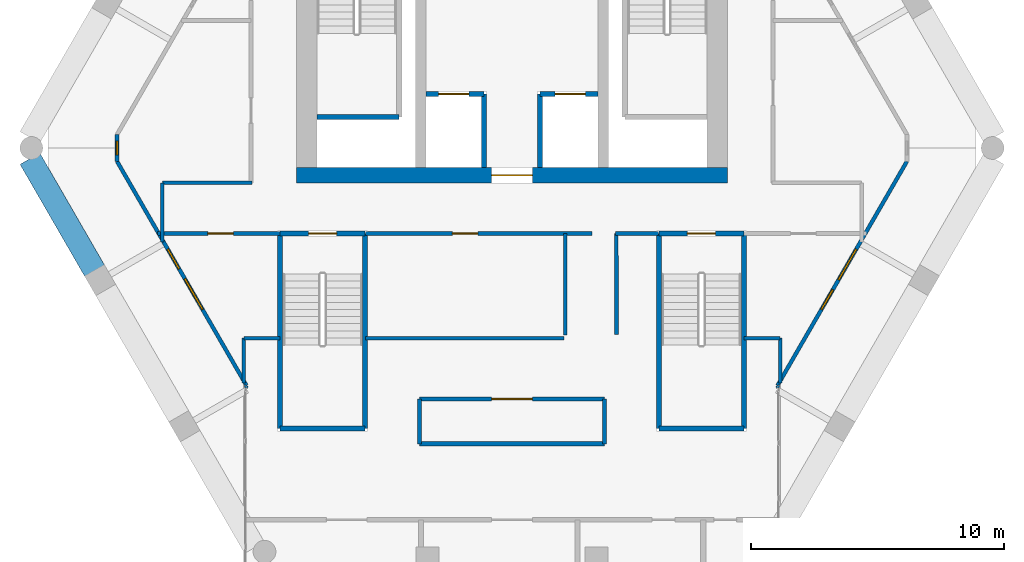
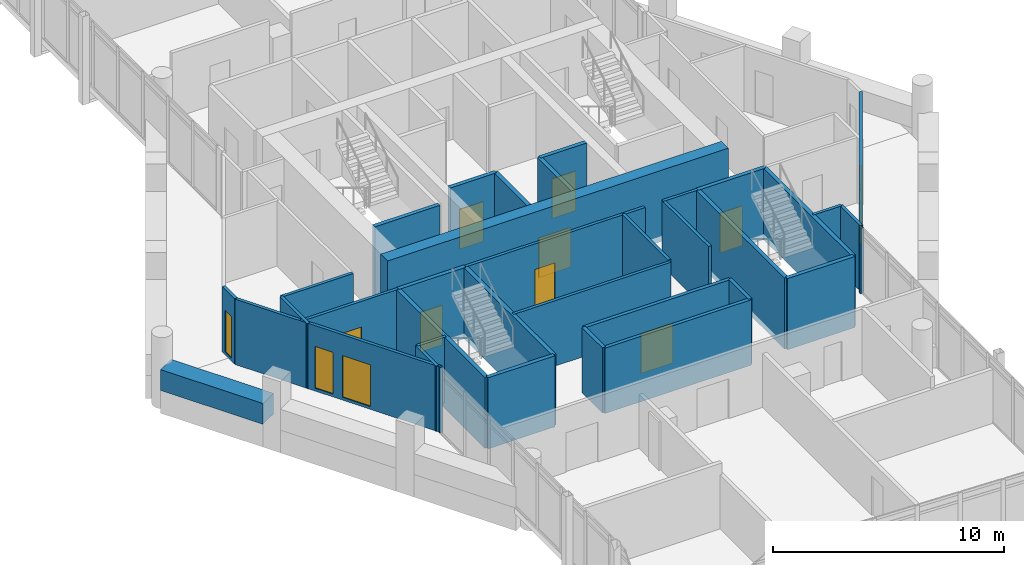
# One storey, part 21 of 25: 36 walls, 8 doors, 5 windows, 13 openings.
"""IFC4 building model written with IfcOpenShell, lengths in metres."""

from ifc_helpers import new_model, si_unit, direction, frame, frame_2d, origin, place, context, subcontext, project, spatial, rectangle, extrude, material, layer, layer_set, type_object, element, fill, save


model = new_model("IFC4")

# Units and contexts
model_context = context("Model", 3, precision=1e-05, world=origin(), true_north=direction((0.0, 1.0)))
body_context = subcontext(model_context, "Body", "Model", "MODEL_VIEW")
ifc_project = project(units=[si_unit("LENGTHUNIT", "METRE"), si_unit("AREAUNIT", "SQUARE_METRE"), si_unit("VOLUMEUNIT", "CUBIC_METRE"), si_unit("PLANEANGLEUNIT", "RADIAN"), si_unit("MASSUNIT", "GRAM", prefix="KILO")], contexts=[model_context])

# Site, building, storey
site_placement = place(None, origin())
site = spatial("IfcSite", under=ifc_project, at=site_placement, CompositionType="ELEMENT")
building_placement = place(site_placement, origin())
building = spatial("IfcBuilding", under=site, at=building_placement, Name="Ostrander Bayou Hotel Tower", CompositionType="ELEMENT")
storey_placement = place(building_placement, frame((0.0, 0.0, 233.25)))
storey = spatial("IfcBuildingStorey", under=building, at=storey_placement, Name="L58", CompositionType="ELEMENT", Elevation=233.25)

# Wall, opening, door
ifc_material_1 = material(Name="Concrete f'c 60 MPa", Category="concrete")
ifc_layer_1 = layer(ifc_material_1, 0.60009765625)
ifc_layer_set_1 = layer_set([ifc_layer_1], Name="CW10 core wall 600 mm f'c 60 MPa")
wall_type_1 = type_object("IfcWallType", Name="CW10 core wall 600 mm f'c 60 MPa", PredefinedType="SHEAR", material=ifc_layer_set_1)
wall_1_placement = place(storey_placement, frame((-8.5, -1.39990234375, -0.300048828125), z_axis=(0.0, 0.0, 1.0), x_axis=(1.0, 0.0, 0.0)))
wall_1 = element("IfcWall", 1, at=wall_1_placement, inside=storey, type_object=wall_type_1, Name="CW10 L58 S", PredefinedType="SHEAR", context=body_context, shape_type="SweptSolid", body=[
    extrude(rectangle(XDim=17.0, YDim=0.60009765625, at=frame_2d((8.5, 0.0))), origin(), (0.0, 0.0, 1.0), 3.75),
])
opening_1_placement = place(wall_1_placement, frame((7.699951171875, 0.0, 0.0)))
opening_1 = element("IfcOpeningElement", 2, at=opening_1_placement, cuts=wall_1, Name="Opening T57-005", PredefinedType="OPENING", context=body_context, shape_type="SweptSolid", body=[
    extrude(rectangle(XDim=1.60009765625, YDim=2.10009765625, at=frame_2d((0.800048828125, 1.050048828125))), frame((0.0, 0.300048828125, 0.0), z_axis=(0.0, -1.0, 0.0), x_axis=(1.0, 0.0, 0.0)), (0.0, 0.0, 1.0), 0.60009765625),
])
ifc_material_2 = material(Name="Timber door leaf", Category="wood")
door_type_1 = type_object("IfcDoorType", Name="D13 double door 1600 x 2100 mm, 1 hour", OperationType="SINGLE_SWING_LEFT", PredefinedType="DOOR", material=ifc_material_2)
door_1_placement = place(opening_1_placement, origin())
door_1 = element("IfcDoor", 3, at=door_1_placement, inside=storey, type_object=door_type_1, Name="dr:L58:005", OperationType="DOUBLE_DOOR_SINGLE_SWING", OverallHeight=2.10009765625, OverallWidth=1.60009765625, PredefinedType="DOOR", context=body_context, shape_type="SweptSolid", body=[
    extrude(rectangle(XDim=1.60009765625, YDim=2.10009765625, at=frame_2d((0.800048828125, 1.050048828125))), frame((0.0, 0.02490234375, 0.0), z_axis=(0.0, -1.0, 0.0), x_axis=(1.0, 0.0, 0.0)), (0.0, 0.0, 1.0), 0.050048828125),
])
fill(opening_1, door_1)

# Wall, openings, windows
ifc_material_3 = material(Name="Aluminium framed insulated wall", Category="aluminium")
ifc_layer_2 = layer(ifc_material_3, 0.14990234375)
ifc_layer_set_2 = layer_set([ifc_layer_2], Name="GW1 glass-line wall 150 mm")
wall_type_2 = type_object("IfcWallType", Name="GW1 glass-line wall 150 mm", PredefinedType="SOLIDWALL", material=ifc_layer_set_2)
wall_2_placement = place(storey_placement, frame((-15.582763671875, -0.85986328125, 0.0), z_axis=(0.0, 0.0, 1.0), x_axis=(0.499995050918, -0.866028261119, 0.0)))
wall_2 = element("IfcWall", 4, at=wall_2_placement, inside=storey, type_object=wall_type_2, Name="GW1 L58 SW 1", PredefinedType="SOLIDWALL", context=body_context, shape_type="SweptSolid", body=[
    extrude(rectangle(XDim=10.20751953125, YDim=0.14990234375, at=frame_2d((5.103759765625, 0.0))), origin(), (0.0, 0.0, 1.0), 3.449951171875),
])
opening_2_placement = place(wall_2_placement, frame((3.993896484375, 0.0, 0.14990234375)))
opening_2 = element("IfcOpeningElement", 5, at=opening_2_placement, cuts=wall_2, Name="Opening W18", PredefinedType="OPENING", context=body_context, shape_type="SweptSolid", body=[
    extrude(rectangle(XDim=0.89990234375, YDim=2.199951171875, at=frame_2d((0.449951171875, 1.10009765625))), frame((0.0, 0.074951171875, 0.0), z_axis=(0.0, -1.0, 0.0), x_axis=(1.0, 0.0, 0.0)), (0.0, 0.0, 1.0), 0.14990234375),
])
opening_3_placement = place(wall_2_placement, frame((5.3466796875, 0.0, 0.14990234375)))
opening_3 = element("IfcOpeningElement", 6, at=opening_3_placement, cuts=wall_2, Name="Opening W14", PredefinedType="OPENING", context=body_context, shape_type="SweptSolid", body=[
    extrude(rectangle(XDim=1.39990234375, YDim=2.199951171875, at=frame_2d((0.699951171875, 1.10009765625))), frame((0.0, 0.074951171875, 0.0), z_axis=(0.0, -1.0, 0.0), x_axis=(1.0, 0.0, 0.0)), (0.0, 0.0, 1.0), 0.14990234375),
])
ifc_material_4 = material(Name="Aluminium and clear glass", Category="aluminium")
window_type_1 = type_object("IfcWindowType", Name="W14 fixed window 1400 mm, bath bay, zone 4", PartitioningType="SINGLE_PANEL", PredefinedType="WINDOW", material=ifc_material_4)
window_1_placement = place(opening_3_placement, origin())
window_1 = element("IfcWindow", 7, at=window_1_placement, inside=storey, type_object=window_type_1, Name="W14 L58 SW 1", OverallHeight=2.199951171875, OverallWidth=1.39990234375, PartitioningType="SINGLE_PANEL", PredefinedType="WINDOW", context=body_context, shape_type="SweptSolid", body=[
    extrude(rectangle(XDim=1.39990234375, YDim=2.199951171875, at=frame_2d((0.699951171875, 1.10009765625))), frame((0.0, 0.030029296875, 0.0), z_axis=(0.0, -1.0, 0.0), x_axis=(1.0, 0.0, 0.0)), (0.0, 0.0, 1.0), 0.06005859375),
])
fill(opening_3, window_1)
ifc_material_5 = material(Name="Aluminium and clear glass", Category="aluminium")
window_type_2 = type_object("IfcWindowType", Name="W18 window 900 mm, zone 4", PartitioningType="SINGLE_PANEL", PredefinedType="WINDOW", material=ifc_material_5)
window_2_placement = place(opening_2_placement, origin())
window_2 = element("IfcWindow", 8, at=window_2_placement, inside=storey, type_object=window_type_2, Name="W18 L58 SW 1", OverallHeight=2.199951171875, OverallWidth=0.89990234375, PartitioningType="SINGLE_PANEL", PredefinedType="WINDOW", context=body_context, shape_type="SweptSolid", body=[
    extrude(rectangle(XDim=0.89990234375, YDim=2.199951171875, at=frame_2d((0.449951171875, 1.10009765625))), frame((0.0, 0.030029296875, 0.0), z_axis=(0.0, -1.0, 0.0), x_axis=(1.0, 0.0, 0.0)), (0.0, 0.0, 1.0), 0.06005859375),
])
fill(opening_2, window_2)

wall_3_placement = place(storey_placement, frame((10.47900390625, -9.699951171875, 0.0), z_axis=(0.0, 0.0, 1.0), x_axis=(0.499995050918, 0.866028261119, 0.0)))
wall_3 = element("IfcWall", 9, at=wall_3_placement, inside=storey, type_object=wall_type_2, Name="GW1 L58 SE 1", PredefinedType="SOLIDWALL", context=body_context, shape_type="SweptSolid", body=[
    extrude(rectangle(XDim=10.20751953125, YDim=0.14990234375, at=frame_2d((5.103759765625, 0.0))), origin(), (0.0, 0.0, 1.0), 3.449951171875),
])
opening_4_placement = place(wall_3_placement, frame((3.4609375, 0.0, 0.14990234375)))
opening_4 = element("IfcOpeningElement", 10, at=opening_4_placement, cuts=wall_3, Name="Opening W18", PredefinedType="OPENING", context=body_context, shape_type="SweptSolid", body=[
    extrude(rectangle(XDim=0.89990234375, YDim=2.199951171875, at=frame_2d((0.449951171875, 1.10009765625))), frame((0.0, 0.074951171875, 0.0), z_axis=(0.0, -1.0, 0.0), x_axis=(1.0, 0.0, 0.0)), (0.0, 0.0, 1.0), 0.14990234375),
])
opening_5_placement = place(wall_3_placement, frame((4.81396484375, 0.0, 0.14990234375)))
opening_5 = element("IfcOpeningElement", 11, at=opening_5_placement, cuts=wall_3, Name="Opening W14", PredefinedType="OPENING", context=body_context, shape_type="SweptSolid", body=[
    extrude(rectangle(XDim=1.39990234375, YDim=2.199951171875, at=frame_2d((0.699951171875, 1.10009765625))), frame((0.0, 0.074951171875, 0.0), z_axis=(0.0, -1.0, 0.0), x_axis=(1.0, 0.0, 0.0)), (0.0, 0.0, 1.0), 0.14990234375),
])
window_3_placement = place(opening_5_placement, origin())
window_3 = element("IfcWindow", 12, at=window_3_placement, inside=storey, type_object=window_type_1, Name="W14 L58 SE 2", OverallHeight=2.199951171875, OverallWidth=1.39990234375, PartitioningType="SINGLE_PANEL", PredefinedType="WINDOW", context=body_context, shape_type="SweptSolid", body=[
    extrude(rectangle(XDim=1.39990234375, YDim=2.199951171875, at=frame_2d((0.699951171875, 1.10009765625))), frame((0.0, 0.030029296875, 0.0), z_axis=(0.0, -1.0, 0.0), x_axis=(1.0, 0.0, 0.0)), (0.0, 0.0, 1.0), 0.06005859375),
])
fill(opening_5, window_3)
window_4_placement = place(opening_4_placement, origin())
window_4 = element("IfcWindow", 13, at=window_4_placement, inside=storey, type_object=window_type_2, Name="W18 L58 SE 2", OverallHeight=2.199951171875, OverallWidth=0.89990234375, PartitioningType="SINGLE_PANEL", PredefinedType="WINDOW", context=body_context, shape_type="SweptSolid", body=[
    extrude(rectangle(XDim=0.89990234375, YDim=2.199951171875, at=frame_2d((0.449951171875, 1.10009765625))), frame((0.0, 0.030029296875, 0.0), z_axis=(0.0, -1.0, 0.0), x_axis=(1.0, 0.0, 0.0)), (0.0, 0.0, 1.0), 0.06005859375),
])
fill(opening_4, window_4)

# Wall, opening, window
wall_4_placement = place(storey_placement, frame((-15.582763671875, 0.205078125, 0.0), z_axis=(0.0, 0.0, 1.0), x_axis=(0.0, -1.0, 0.0)))
wall_4 = element("IfcWall", 14, at=wall_4_placement, inside=storey, type_object=wall_type_2, Name="GW1 L58 corner 2", PredefinedType="SOLIDWALL", context=body_context, shape_type="SweptSolid", body=[
    extrude(rectangle(XDim=1.06494140625, YDim=0.14990234375, at=frame_2d((0.532470703125, 0.0))), origin(), (0.0, 0.0, 1.0), 3.449951171875),
])
opening_6_placement = place(wall_4_placement, frame((0.257568359375, 0.0, 0.14990234375)))
opening_6 = element("IfcOpeningElement", 15, at=opening_6_placement, cuts=wall_4, Name="Opening W19", PredefinedType="OPENING", context=body_context, shape_type="SweptSolid", body=[
    extrude(rectangle(XDim=0.550048828125, YDim=2.199951171875, at=frame_2d((0.27490234375, 1.10009765625))), frame((0.0, 0.074951171875, 0.0), z_axis=(0.0, -1.0, 0.0), x_axis=(1.0, 0.0, 0.0)), (0.0, 0.0, 1.0), 0.14990234375),
])
ifc_material_6 = material(Name="Aluminium and clear glass", Category="aluminium")
window_type_3 = type_object("IfcWindowType", Name="W19 corner window 550 mm", PartitioningType="SINGLE_PANEL", PredefinedType="WINDOW", material=ifc_material_6)
window_5_placement = place(opening_6_placement, origin())
window_5 = element("IfcWindow", 16, at=window_5_placement, inside=storey, type_object=window_type_3, Name="W19 L58 corner 2", OverallHeight=2.199951171875, OverallWidth=0.550048828125, PartitioningType="SINGLE_PANEL", PredefinedType="WINDOW", context=body_context, shape_type="SweptSolid", body=[
    extrude(rectangle(XDim=0.550048828125, YDim=2.199951171875, at=frame_2d((0.27490234375, 1.10009765625))), frame((0.0, 0.030029296875, 0.0), z_axis=(0.0, -1.0, 0.0), x_axis=(1.0, 0.0, 0.0)), (0.0, 0.0, 1.0), 0.06005859375),
])
fill(opening_6, window_5)

# Walls
for number, where, z_axis, x_axis, name in (
    (17, (-10.47900390625, -9.699951171875, 0.0), (0.0, 0.0, 1.0), (-0.338543167143, -0.940950861619, 0.0), "GW1 L58 bar joint 2"),
    (18, (10.47900390625, -9.699951171875, 0.0), (0.0, 0.0, 1.0), (0.338543167143, -0.940950861619, 0.0), "GW1 L58 bar joint 3"),
):
    element("IfcWall", number, at=place(storey_placement, frame(where, z_axis=z_axis, x_axis=x_axis)), inside=storey, type_object=wall_type_2, Name=name, PredefinedType="SOLIDWALL", context=body_context, shape_type="SweptSolid", body=[
        extrude(rectangle(XDim=0.09814453125, YDim=0.14990234375, at=frame_2d((0.049072265625, 0.0))), origin(), (0.0, 0.0, 1.0), 3.449951171875),
    ])
ifc_material_7 = material(Name="Limestone masonry", Category="masonry")
ifc_layer_3 = layer(ifc_material_7, 0.89990234375)
ifc_layer_set_3 = layer_set([ifc_layer_3], Name="PA2 limestone parapet 900 mm")
wall_type_3 = type_object("IfcWallType", Name="PA2 limestone parapet 900 mm", PredefinedType="PARAPET", material=ifc_layer_set_3)
wall_5_placement = place(storey_placement, frame((-19.024169921875, -0.749267578125, 0.0), z_axis=(0.0, 0.0, 1.0), x_axis=(0.499995206172, -0.866028171485, 0.0)))
element("IfcWall", 19, at=wall_5_placement, inside=storey, type_object=wall_type_3, Name="PA2 L58 SW-1", PredefinedType="PARAPET", context=body_context, shape_type="SweptSolid", body=[
    extrude(rectangle(XDim=5.11376953125, YDim=0.89990234375, at=frame_2d((2.556884765625, 0.0))), origin(), (0.0, 0.0, 1.0), 1.10009765625),
])
ifc_material_8 = material(Name="Gypsum board partition", Category="finish")
ifc_layer_4 = layer(ifc_material_8, 0.175048828125)
ifc_layer_set_4 = layer_set([ifc_layer_4], Name="PT4 corridor wall 175 mm, 1 hour")
wall_type_4 = type_object("IfcWallType", Name="PT4 corridor wall 175 mm, 1 hour", PredefinedType="PARTITIONING", material=ifc_layer_set_4)
wall_6_placement = place(storey_placement, frame((-3.64990234375, -12.0, 0.0), z_axis=(0.0, 0.0, 1.0), x_axis=(1.0, 0.0, 0.0)))
element("IfcWall", 20, at=wall_6_placement, inside=storey, type_object=wall_type_4, Name="sw:L58:501", PredefinedType="PARTITIONING", context=body_context, shape_type="SweptSolid", body=[
    extrude(rectangle(XDim=7.2998046875, YDim=0.175048828125, at=frame_2d((3.64990234375, 0.0))), origin(), (0.0, 0.0, 1.0), 3.449951171875),
])

# Wall, opening, door
wall_7_placement = place(storey_placement, frame((-3.64990234375, -10.23291015625, 0.0), z_axis=(0.0, 0.0, 1.0), x_axis=(1.0, 0.0, 0.0)))
wall_7 = element("IfcWall", 21, at=wall_7_placement, inside=storey, type_object=wall_type_4, Name="sw:L58:502", PredefinedType="PARTITIONING", context=body_context, shape_type="SweptSolid", body=[
    extrude(rectangle(XDim=7.2998046875, YDim=0.175048828125, at=frame_2d((3.64990234375, 0.0))), origin(), (0.0, 0.0, 1.0), 3.449951171875),
])
opening_7_placement = place(wall_7_placement, frame((2.85009765625, 0.0, 0.0)))
opening_7 = element("IfcOpeningElement", 22, at=opening_7_placement, cuts=wall_7, Name="Opening T57-1200", PredefinedType="OPENING", context=body_context, shape_type="SweptSolid", body=[
    extrude(rectangle(XDim=1.60009765625, YDim=2.10009765625, at=frame_2d((0.800048828125, 1.050048828125))), frame((0.0, 0.08740234375, 0.0), z_axis=(0.0, -1.0, 0.0), x_axis=(1.0, 0.0, 0.0)), (0.0, 0.0, 1.0), 0.175048828125),
])
door_2_placement = place(opening_7_placement, origin())
door_2 = element("IfcDoor", 23, at=door_2_placement, inside=storey, type_object=door_type_1, Name="dr:L58:1200", OperationType="DOUBLE_DOOR_SINGLE_SWING", OverallHeight=2.10009765625, OverallWidth=1.60009765625, PredefinedType="DOOR", context=body_context, shape_type="SweptSolid", body=[
    extrude(rectangle(XDim=1.60009765625, YDim=2.10009765625, at=frame_2d((0.800048828125, 1.050048828125))), frame((0.0, 0.02490234375, 0.0), z_axis=(0.0, -1.0, 0.0), x_axis=(1.0, 0.0, 0.0)), (0.0, 0.0, 1.0), 0.050048828125),
])
fill(opening_7, door_2)

# Walls
for number, where, z_axis, x_axis, name in (
    (24, (-3.64990234375, -12.0, 0.0), (0.0, 0.0, 1.0), (0.0, 1.0, 0.0), "sw:L58:508"),
    (25, (3.64990234375, -12.0, 0.0), (0.0, 0.0, 1.0), (0.0, 1.0, 0.0), "sw:L58:509"),
):
    element("IfcWall", number, at=place(storey_placement, frame(where, z_axis=z_axis, x_axis=x_axis)), inside=storey, type_object=wall_type_4, Name=name, PredefinedType="PARTITIONING", context=body_context, shape_type="SweptSolid", body=[
        extrude(rectangle(XDim=1.7666015625, YDim=0.175048828125, at=frame_2d((0.88330078125, 0.0))), origin(), (0.0, 0.0, 1.0), 3.449951171875),
    ])

# Wall, opening, door
ifc_material_9 = material(Name="Masonry block", Category="masonry")
ifc_layer_5 = layer(ifc_material_9, 0.199951171875)
ifc_layer_set_5 = layer_set([ifc_layer_5], Name="PT6 lift shaft wall 200 mm masonry, 2 hour")
wall_type_5 = type_object("IfcWallType", Name="PT6 lift shaft wall 200 mm masonry, 2 hour", PredefinedType="PARTITIONING", material=ifc_layer_set_5)
wall_8_placement = place(storey_placement, frame((-3.39990234375, 1.800048828125, 0.0), z_axis=(0.0, 0.0, 1.0), x_axis=(1.0, 0.0, 0.0)))
wall_8 = element("IfcWall", 26, at=wall_8_placement, inside=storey, type_object=wall_type_5, Name="cs:L58:001", PredefinedType="PARTITIONING", context=body_context, shape_type="SweptSolid", body=[
    extrude(rectangle(XDim=2.2998046875, YDim=0.199951171875, at=frame_2d((1.14990234375, 0.0))), origin(), (0.0, 0.0, 1.0), 3.449951171875),
])
opening_8_placement = place(wall_8_placement, frame((0.5, 0.0, 0.0)))
opening_8 = element("IfcOpeningElement", 27, at=opening_8_placement, cuts=wall_8, Name="Opening T57-001", PredefinedType="OPENING", context=body_context, shape_type="SweptSolid", body=[
    extrude(rectangle(XDim=1.199951171875, YDim=2.10009765625, at=frame_2d((0.60009765625, 1.050048828125))), frame((0.0, 0.10009765625, 0.0), z_axis=(0.0, -1.0, 0.0), x_axis=(1.0, 0.0, 0.0)), (0.0, 0.0, 1.0), 0.199951171875),
])
ifc_material_10 = material(Name="Stainless steel sliding door", Category="steel")
door_type_2 = type_object("IfcDoorType", Name="LD1 lift landing door 1200 x 2100 mm", OperationType="SINGLE_SWING_LEFT", PredefinedType="DOOR", material=ifc_material_10)
door_3_placement = place(opening_8_placement, origin())
door_3 = element("IfcDoor", 28, at=door_3_placement, inside=storey, type_object=door_type_2, Name="dr:L58:001", OperationType="SLIDING_TO_LEFT", OverallHeight=2.10009765625, OverallWidth=1.199951171875, PredefinedType="DOOR", context=body_context, shape_type="SweptSolid", body=[
    extrude(rectangle(XDim=1.199951171875, YDim=2.10009765625, at=frame_2d((0.60009765625, 1.050048828125))), frame((0.0, 0.02490234375, 0.0), z_axis=(0.0, -1.0, 0.0), x_axis=(1.0, 0.0, 0.0)), (0.0, 0.0, 1.0), 0.050048828125),
])
fill(opening_8, door_3)

wall_9_placement = place(storey_placement, frame((1.10009765625, 1.800048828125, 0.0), z_axis=(0.0, 0.0, 1.0), x_axis=(1.0, 0.0, 0.0)))
wall_9 = element("IfcWall", 29, at=wall_9_placement, inside=storey, type_object=wall_type_5, Name="cs:L58:003", PredefinedType="PARTITIONING", context=body_context, shape_type="SweptSolid", body=[
    extrude(rectangle(XDim=2.2998046875, YDim=0.199951171875, at=frame_2d((1.14990234375, 0.0))), origin(), (0.0, 0.0, 1.0), 3.449951171875),
])
opening_9_placement = place(wall_9_placement, frame((0.60009765625, 0.0, 0.0)))
opening_9 = element("IfcOpeningElement", 30, at=opening_9_placement, cuts=wall_9, Name="Opening T57-002", PredefinedType="OPENING", context=body_context, shape_type="SweptSolid", body=[
    extrude(rectangle(XDim=1.199951171875, YDim=2.10009765625, at=frame_2d((0.60009765625, 1.050048828125))), frame((0.0, 0.10009765625, 0.0), z_axis=(0.0, -1.0, 0.0), x_axis=(1.0, 0.0, 0.0)), (0.0, 0.0, 1.0), 0.199951171875),
])
door_4_placement = place(opening_9_placement, origin())
door_4 = element("IfcDoor", 31, at=door_4_placement, inside=storey, type_object=door_type_2, Name="dr:L58:002", OperationType="SLIDING_TO_LEFT", OverallHeight=2.10009765625, OverallWidth=1.199951171875, PredefinedType="DOOR", context=body_context, shape_type="SweptSolid", body=[
    extrude(rectangle(XDim=1.199951171875, YDim=2.10009765625, at=frame_2d((0.60009765625, 1.050048828125))), frame((0.0, 0.02490234375, 0.0), z_axis=(0.0, -1.0, 0.0), x_axis=(1.0, 0.0, 0.0)), (0.0, 0.0, 1.0), 0.050048828125),
])
fill(opening_9, door_4)

# Walls
for number, where, z_axis, x_axis, name in (
    (32, (-1.10009765625, -1.10009765625, 0.0), (0.0, 0.0, 1.0), (0.0, 1.0, 0.0), "cs:L58:005"),
    (33, (1.10009765625, -1.10009765625, 0.0), (0.0, 0.0, 1.0), (0.0, 1.0, 0.0), "cs:L58:006"),
):
    element("IfcWall", number, at=place(storey_placement, frame(where, z_axis=z_axis, x_axis=x_axis)), inside=storey, type_object=wall_type_5, Name=name, PredefinedType="PARTITIONING", context=body_context, shape_type="SweptSolid", body=[
        extrude(rectangle(XDim=2.900146484375, YDim=0.199951171875, at=frame_2d((1.4501953125, 0.0))), origin(), (0.0, 0.0, 1.0), 3.449951171875),
    ])
ifc_material_11 = material(Name="Gypsum board partition", Category="finish")
ifc_layer_6 = layer(ifc_material_11, 0.14990234375)
ifc_layer_set_6 = layer_set([ifc_layer_6], Name="PT8 service band wall 150 mm, 1 hour")
wall_type_6 = type_object("IfcWallType", Name="PT8 service band wall 150 mm, 1 hour", PredefinedType="PARTITIONING", material=ifc_layer_set_6)
wall_10_placement = place(storey_placement, frame((-10.5849609375, -7.8349609375, 0.0), z_axis=(0.0, 0.0, 1.0), x_axis=(1.0, 0.0, 0.0)))
element("IfcWall", 34, at=wall_10_placement, inside=storey, type_object=wall_type_6, Name="gw:L58:001", PredefinedType="PARTITIONING", context=body_context, shape_type="SweptSolid", body=[
    extrude(rectangle(XDim=1.425048828125, YDim=0.14990234375, at=frame_2d((0.71240234375, 0.0))), origin(), (0.0, 0.0, 1.0), 3.449951171875),
])
wall_11_placement = place(storey_placement, frame((-5.7900390625, -7.8349609375, 0.0), z_axis=(0.0, 0.0, 1.0), x_axis=(1.0, 0.0, 0.0)))
element("IfcWall", 35, at=wall_11_placement, inside=storey, type_object=wall_type_6, Name="gw:L58:002", PredefinedType="PARTITIONING", context=body_context, shape_type="SweptSolid", body=[
    extrude(rectangle(XDim=7.840087890625, YDim=0.14990234375, at=frame_2d((3.919921875, 0.0))), origin(), (0.0, 0.0, 1.0), 3.449951171875),
])
wall_12_placement = place(storey_placement, frame((9.159912109375, -7.8349609375, 0.0), z_axis=(0.0, 0.0, 1.0), x_axis=(1.0, 0.0, 0.0)))
element("IfcWall", 36, at=wall_12_placement, inside=storey, type_object=wall_type_6, Name="gw:L58:003", PredefinedType="PARTITIONING", context=body_context, shape_type="SweptSolid", body=[
    extrude(rectangle(XDim=1.425048828125, YDim=0.14990234375, at=frame_2d((0.71240234375, 0.0))), origin(), (0.0, 0.0, 1.0), 3.449951171875),
])

# Wall, opening, door
wall_13_placement = place(storey_placement, frame((-13.9951171875, -3.699951171875, 0.0), z_axis=(0.0, 0.0, 1.0), x_axis=(1.0, 0.0, 0.0)))
wall_13 = element("IfcWall", 37, at=wall_13_placement, inside=storey, type_object=wall_type_6, Name="gw:L58:004", PredefinedType="PARTITIONING", context=body_context, shape_type="SweptSolid", body=[
    extrude(rectangle(XDim=4.835205078125, YDim=0.14990234375, at=frame_2d((2.41748046875, 0.0))), origin(), (0.0, 0.0, 1.0), 3.449951171875),
])
opening_10_placement = place(wall_13_placement, frame((1.9951171875, 0.0, 0.0)))
opening_10 = element("IfcOpeningElement", 38, at=opening_10_placement, cuts=wall_13, Name="Opening T57-401", PredefinedType="OPENING", context=body_context, shape_type="SweptSolid", body=[
    extrude(rectangle(XDim=1.0, YDim=2.10009765625, at=frame_2d((0.5, 1.050048828125))), frame((0.0, 0.074951171875, 0.0), z_axis=(0.0, -1.0, 0.0), x_axis=(1.0, 0.0, 0.0)), (0.0, 0.0, 1.0), 0.14990234375),
])
ifc_material_12 = material(Name="Timber door leaf", Category="wood")
door_type_3 = type_object("IfcDoorType", Name="D9 service door 1000 x 2100 mm, 30 minute", OperationType="SINGLE_SWING_LEFT", PredefinedType="DOOR", material=ifc_material_12)
door_5_placement = place(opening_10_placement, origin())
door_5 = element("IfcDoor", 39, at=door_5_placement, inside=storey, type_object=door_type_3, Name="dr:L58:401", OperationType="SINGLE_SWING_RIGHT", OverallHeight=2.10009765625, OverallWidth=1.0, PredefinedType="DOOR", context=body_context, shape_type="SweptSolid", body=[
    extrude(rectangle(XDim=1.0, YDim=2.10009765625, at=frame_2d((0.5, 1.050048828125))), frame((0.0, 0.02490234375, 0.0), z_axis=(0.0, -1.0, 0.0), x_axis=(1.0, 0.0, 0.0)), (0.0, 0.0, 1.0), 0.050048828125),
])
fill(opening_10, door_5)

wall_14_placement = place(storey_placement, frame((-5.7900390625, -3.699951171875, 0.0), z_axis=(0.0, 0.0, 1.0), x_axis=(1.0, 0.0, 0.0)))
wall_14 = element("IfcWall", 40, at=wall_14_placement, inside=storey, type_object=wall_type_6, Name="gw:L58:005", PredefinedType="PARTITIONING", context=body_context, shape_type="SweptSolid", body=[
    extrude(rectangle(XDim=8.945068359375, YDim=0.14990234375, at=frame_2d((4.47265625, 0.0))), origin(), (0.0, 0.0, 1.0), 3.449951171875),
])
opening_11_placement = place(wall_14_placement, frame((3.43994140625, 0.0, 0.0)))
opening_11 = element("IfcOpeningElement", 41, at=opening_11_placement, cuts=wall_14, Name="Opening T57-400", PredefinedType="OPENING", context=body_context, shape_type="SweptSolid", body=[
    extrude(rectangle(XDim=1.0, YDim=2.10009765625, at=frame_2d((0.5, 1.050048828125))), frame((0.0, 0.074951171875, 0.0), z_axis=(0.0, -1.0, 0.0), x_axis=(1.0, 0.0, 0.0)), (0.0, 0.0, 1.0), 0.14990234375),
])
ifc_material_13 = material(Name="Timber door leaf", Category="wood")
door_type_4 = type_object("IfcDoorType", Name="D15 room door 1000 x 2100 mm", OperationType="SINGLE_SWING_LEFT", PredefinedType="DOOR", material=ifc_material_13)
door_6_placement = place(opening_11_placement, origin())
door_6 = element("IfcDoor", 42, at=door_6_placement, inside=storey, type_object=door_type_4, Name="dr:L58:400", OperationType="SINGLE_SWING_RIGHT", OverallHeight=2.10009765625, OverallWidth=1.0, PredefinedType="DOOR", context=body_context, shape_type="SweptSolid", body=[
    extrude(rectangle(XDim=1.0, YDim=2.10009765625, at=frame_2d((0.5, 1.050048828125))), frame((0.0, 0.02490234375, 0.0), z_axis=(0.0, -1.0, 0.0), x_axis=(1.0, 0.0, 0.0)), (0.0, 0.0, 1.0), 0.050048828125),
])
fill(opening_11, door_6)

# Walls
wall_15_placement = place(storey_placement, frame((4.074951171875, -3.699951171875, 0.0), z_axis=(0.0, 0.0, 1.0), x_axis=(1.0, 0.0, 0.0)))
element("IfcWall", 43, at=wall_15_placement, inside=storey, type_object=wall_type_6, Name="gw:L58:006", PredefinedType="PARTITIONING", context=body_context, shape_type="SweptSolid", body=[
    extrude(rectangle(XDim=1.715087890625, YDim=0.14990234375, at=frame_2d((0.857421875, 0.0))), origin(), (0.0, 0.0, 1.0), 3.449951171875),
])
wall_16_placement = place(storey_placement, frame((-13.800048828125, -1.699951171875, 0.0), z_axis=(0.0, 0.0, 1.0), x_axis=(1.0, 0.0, 0.0)))
element("IfcWall", 44, at=wall_16_placement, inside=storey, type_object=wall_type_6, Name="gw:L58:008", PredefinedType="PARTITIONING", context=body_context, shape_type="SweptSolid", body=[
    extrude(rectangle(XDim=3.5400390625, YDim=0.14990234375, at=frame_2d((1.77001953125, 0.0))), origin(), (0.0, 0.0, 1.0), 3.449951171875),
])
wall_17_placement = place(storey_placement, frame((10.5849609375, -9.60595703125, 0.0), z_axis=(0.0, 0.0, 1.0), x_axis=(0.0, 1.0, 0.0)))
element("IfcWall", 45, at=wall_17_placement, inside=storey, type_object=wall_type_6, Name="gw:L58:015", PredefinedType="PARTITIONING", context=body_context, shape_type="SweptSolid", body=[
    extrude(rectangle(XDim=1.77099609375, YDim=0.14990234375, at=frame_2d((0.885498046875, 0.0))), origin(), (0.0, 0.0, 1.0), 3.449951171875),
])
wall_18_placement = place(storey_placement, frame((2.10009765625, -7.699951171875, 0.0), z_axis=(0.0, 0.0, 1.0), x_axis=(0.0, 1.0, 0.0)))
element("IfcWall", 46, at=wall_18_placement, inside=storey, type_object=wall_type_6, Name="gw:L58:018", PredefinedType="PARTITIONING", context=body_context, shape_type="SweptSolid", body=[
    extrude(rectangle(XDim=4.0, YDim=0.14990234375, at=frame_2d((2.0, 0.0))), origin(), (0.0, 0.0, 1.0), 3.449951171875),
])
wall_19_placement = place(storey_placement, frame((-10.5849609375, -9.60595703125, 0.0), z_axis=(0.0, 0.0, 1.0), x_axis=(0.0, 1.0, 0.0)))
element("IfcWall", 47, at=wall_19_placement, inside=storey, type_object=wall_type_6, Name="gw:L58:020", PredefinedType="PARTITIONING", context=body_context, shape_type="SweptSolid", body=[
    extrude(rectangle(XDim=1.77099609375, YDim=0.14990234375, at=frame_2d((0.885498046875, 0.0))), origin(), (0.0, 0.0, 1.0), 3.449951171875),
])
wall_20_placement = place(storey_placement, frame((-13.800048828125, -4.0380859375, 0.0), z_axis=(0.0, 0.0, 1.0), x_axis=(0.0, 1.0, 0.0)))
element("IfcWall", 48, at=wall_20_placement, inside=storey, type_object=wall_type_6, Name="gw:L58:022", PredefinedType="PARTITIONING", context=body_context, shape_type="SweptSolid", body=[
    extrude(rectangle(XDim=2.338134765625, YDim=0.14990234375, at=frame_2d((1.1689453125, 0.0))), origin(), (0.0, 0.0, 1.0), 3.449951171875),
])
wall_21_placement = place(storey_placement, frame((4.1298828125, -7.695068359375, 0.0), z_axis=(0.0, 0.0, 1.0), x_axis=(-0.003727669041, 0.999993052218, 0.0)))
element("IfcWall", 49, at=wall_21_placement, inside=storey, type_object=wall_type_6, Name="gw:L58:023", PredefinedType="PARTITIONING", context=body_context, shape_type="SweptSolid", body=[
    extrude(rectangle(XDim=3.9951171875, YDim=0.14990234375, at=frame_2d((1.99755859375, 0.0))), origin(), (0.0, 0.0, 1.0), 3.449951171875),
])
ifc_material_14 = material(Name="Concrete f'c 45 MPa", Category="concrete")
ifc_layer_7 = layer(ifc_material_14, 0.199951171875)
ifc_layer_set_7 = layer_set([ifc_layer_7], Name="SW5 stair enclosure wall 200 mm f'c 45 MPa")
wall_type_7 = type_object("IfcWallType", Name="SW5 stair enclosure wall 200 mm f'c 45 MPa", PredefinedType="SOLIDWALL", material=ifc_layer_set_7)
wall_22_placement = place(storey_placement, frame((-7.699951171875, 0.89990234375, -0.300048828125), z_axis=(0.0, 0.0, 1.0), x_axis=(1.0, 0.0, 0.0)))
element("IfcWall", 50, at=wall_22_placement, inside=storey, type_object=wall_type_7, Name="cs:L58:010", PredefinedType="SOLIDWALL", context=body_context, shape_type="SweptSolid", body=[
    extrude(rectangle(XDim=3.25, YDim=0.199951171875, at=frame_2d((1.625, 0.0))), origin(), (0.0, 0.0, 1.0), 3.75),
])

# Wall, opening, door
wall_23_placement = place(storey_placement, frame((5.800048828125, -3.699951171875, -0.300048828125), z_axis=(0.0, 0.0, 1.0), x_axis=(1.0, 0.0, 0.0)))
wall_23 = element("IfcWall", 51, at=wall_23_placement, inside=storey, type_object=wall_type_7, Name="cs:L58:013", PredefinedType="SOLIDWALL", context=body_context, shape_type="SweptSolid", body=[
    extrude(rectangle(XDim=3.349853515625, YDim=0.199951171875, at=frame_2d((1.6748046875, 0.0))), origin(), (0.0, 0.0, 1.0), 3.75),
])
opening_12_placement = place(wall_23_placement, frame((1.125, 0.0, 0.0)))
opening_12 = element("IfcOpeningElement", 52, at=opening_12_placement, cuts=wall_23, Name="Opening T57-011", PredefinedType="OPENING", context=body_context, shape_type="SweptSolid", body=[
    extrude(rectangle(XDim=1.10009765625, YDim=2.10009765625, at=frame_2d((0.550048828125, 1.050048828125))), frame((0.0, 0.10009765625, 0.0), z_axis=(0.0, -1.0, 0.0), x_axis=(1.0, 0.0, 0.0)), (0.0, 0.0, 1.0), 0.199951171875),
])
ifc_material_15 = material(Name="Timber door leaf", Category="wood")
door_type_5 = type_object("IfcDoorType", Name="D5 stair door 1100 x 2100 mm, 90 minute", OperationType="SINGLE_SWING_LEFT", PredefinedType="DOOR", material=ifc_material_15)
door_7_placement = place(opening_12_placement, origin())
door_7 = element("IfcDoor", 53, at=door_7_placement, inside=storey, type_object=door_type_5, Name="dr:L58:011", OperationType="SINGLE_SWING_LEFT", OverallHeight=2.10009765625, OverallWidth=1.10009765625, PredefinedType="DOOR", context=body_context, shape_type="SweptSolid", body=[
    extrude(rectangle(XDim=1.10009765625, YDim=2.10009765625, at=frame_2d((0.550048828125, 1.050048828125))), frame((0.0, 0.02490234375, 0.0), z_axis=(0.0, -1.0, 0.0), x_axis=(1.0, 0.0, 0.0)), (0.0, 0.0, 1.0), 0.050048828125),
])
fill(opening_12, door_7)

# Walls
for number, where, z_axis, x_axis, name in (
    (54, (5.800048828125, -3.699951171875, -0.300048828125), (0.0, 0.0, 1.0), (0.0, -1.0, 0.0), "cs:L58:014"),
    (55, (9.14990234375, -3.699951171875, -0.300048828125), (0.0, 0.0, 1.0), (0.0, -1.0, 0.0), "cs:L58:015"),
):
    element("IfcWall", number, at=place(storey_placement, frame(where, z_axis=z_axis, x_axis=x_axis)), inside=storey, type_object=wall_type_7, Name=name, PredefinedType="SOLIDWALL", context=body_context, shape_type="SweptSolid", body=[
        extrude(rectangle(XDim=7.699951171875, YDim=0.199951171875, at=frame_2d((3.85009765625, 0.0))), origin(), (0.0, 0.0, 1.0), 3.75),
    ])
wall_24_placement = place(storey_placement, frame((5.800048828125, -11.39990234375, -0.300048828125), z_axis=(0.0, 0.0, 1.0), x_axis=(1.0, 0.0, 0.0)))
element("IfcWall", 56, at=wall_24_placement, inside=storey, type_object=wall_type_7, Name="cs:L58:016", PredefinedType="SOLIDWALL", context=body_context, shape_type="SweptSolid", body=[
    extrude(rectangle(XDim=3.349853515625, YDim=0.199951171875, at=frame_2d((1.6748046875, 0.0))), origin(), (0.0, 0.0, 1.0), 3.75),
])

# Wall, opening, door
wall_25_placement = place(storey_placement, frame((-9.14990234375, -3.699951171875, -0.300048828125), z_axis=(0.0, 0.0, 1.0), x_axis=(1.0, 0.0, 0.0)))
wall_25 = element("IfcWall", 57, at=wall_25_placement, inside=storey, type_object=wall_type_7, Name="cs:L58:017", PredefinedType="SOLIDWALL", context=body_context, shape_type="SweptSolid", body=[
    extrude(rectangle(XDim=3.349853515625, YDim=0.199951171875, at=frame_2d((1.6748046875, 0.0))), origin(), (0.0, 0.0, 1.0), 3.75),
])
opening_13_placement = place(wall_25_placement, frame((1.125, 0.0, 0.0)))
opening_13 = element("IfcOpeningElement", 58, at=opening_13_placement, cuts=wall_25, Name="Opening T57-012", PredefinedType="OPENING", context=body_context, shape_type="SweptSolid", body=[
    extrude(rectangle(XDim=1.10009765625, YDim=2.10009765625, at=frame_2d((0.550048828125, 1.050048828125))), frame((0.0, 0.10009765625, 0.0), z_axis=(0.0, -1.0, 0.0), x_axis=(1.0, 0.0, 0.0)), (0.0, 0.0, 1.0), 0.199951171875),
])
door_8_placement = place(opening_13_placement, origin())
door_8 = element("IfcDoor", 59, at=door_8_placement, inside=storey, type_object=door_type_5, Name="dr:L58:012", OperationType="SINGLE_SWING_LEFT", OverallHeight=2.10009765625, OverallWidth=1.10009765625, PredefinedType="DOOR", context=body_context, shape_type="SweptSolid", body=[
    extrude(rectangle(XDim=1.10009765625, YDim=2.10009765625, at=frame_2d((0.550048828125, 1.050048828125))), frame((0.0, 0.02490234375, 0.0), z_axis=(0.0, -1.0, 0.0), x_axis=(1.0, 0.0, 0.0)), (0.0, 0.0, 1.0), 0.050048828125),
])
fill(opening_13, door_8)

# Walls
for number, where, z_axis, x_axis, name in (
    (60, (-9.14990234375, -3.699951171875, -0.300048828125), (0.0, 0.0, 1.0), (0.0, -1.0, 0.0), "cs:L58:018"),
    (61, (-5.800048828125, -3.699951171875, -0.300048828125), (0.0, 0.0, 1.0), (0.0, -1.0, 0.0), "cs:L58:019"),
):
    element("IfcWall", number, at=place(storey_placement, frame(where, z_axis=z_axis, x_axis=x_axis)), inside=storey, type_object=wall_type_7, Name=name, PredefinedType="SOLIDWALL", context=body_context, shape_type="SweptSolid", body=[
        extrude(rectangle(XDim=7.699951171875, YDim=0.199951171875, at=frame_2d((3.85009765625, 0.0))), origin(), (0.0, 0.0, 1.0), 3.75),
    ])
wall_26_placement = place(storey_placement, frame((-9.14990234375, -11.39990234375, -0.300048828125), z_axis=(0.0, 0.0, 1.0), x_axis=(1.0, 0.0, 0.0)))
element("IfcWall", 62, at=wall_26_placement, inside=storey, type_object=wall_type_7, Name="cs:L58:020", PredefinedType="SOLIDWALL", context=body_context, shape_type="SweptSolid", body=[
    extrude(rectangle(XDim=3.349853515625, YDim=0.199951171875, at=frame_2d((1.6748046875, 0.0))), origin(), (0.0, 0.0, 1.0), 3.75),
])

save(model, "model.ifc")
